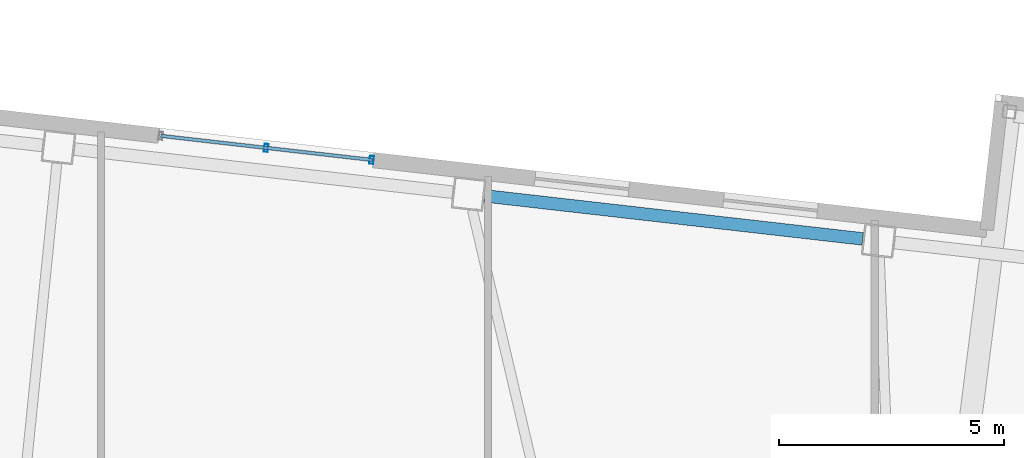
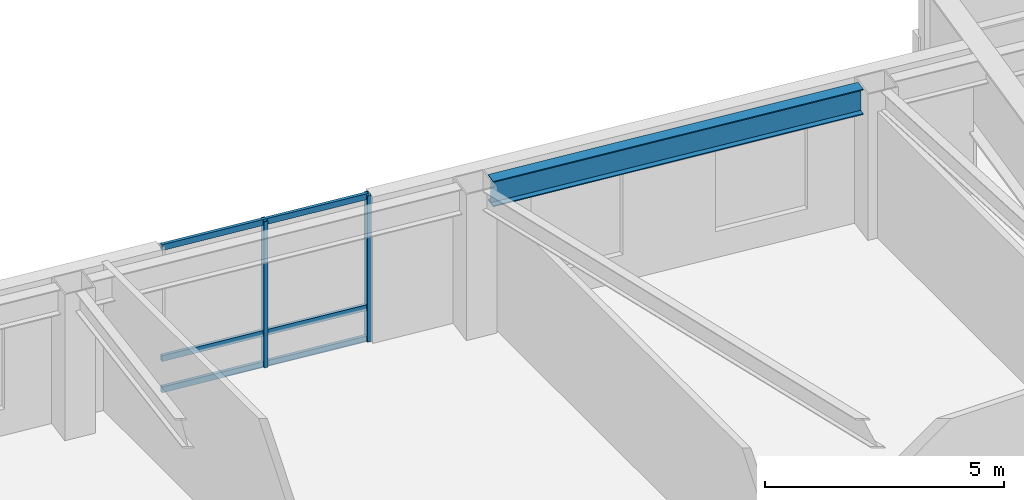
# One storey, part 10 of 22: 5 members, 1 beam, 1 element without a shape of its own.
"""IFC4 building model written with IfcOpenShell, lengths in metres."""

from ifc_helpers import new_model, si_unit, direction, frame, origin, origin_2d, place, context, subcontext, project, spatial, hollow_rectangle, i_section, extrude, material, layer, layer_set, material_profile, profile_set, type_object, element, aggregate, save


model = new_model("IFC4")

# Units and contexts
model_context = context("Model", 3, precision=1e-05, world=origin(), true_north=direction((0.0, 1.0)))
body_context = subcontext(model_context, "Body", "Model", "MODEL_VIEW")
ifc_project = project(units=[si_unit("LENGTHUNIT", "METRE"), si_unit("AREAUNIT", "SQUARE_METRE"), si_unit("VOLUMEUNIT", "CUBIC_METRE"), si_unit("PLANEANGLEUNIT", "RADIAN"), si_unit("MASSUNIT", "GRAM", prefix="KILO")], contexts=[model_context])

# Site, building, storey
site_placement = place(None, origin())
site = spatial("IfcSite", under=ifc_project, at=site_placement, CompositionType="ELEMENT")
building_placement = place(site_placement, origin())
building = spatial("IfcBuilding", under=site, at=building_placement, Name="Tavrogorsk Clinical Tower", CompositionType="ELEMENT")
storey_placement = place(building_placement, frame((0.0, 0.0, 117.39990234375)))
storey = spatial("IfcBuildingStorey", under=building, at=storey_placement, Name="L26", CompositionType="ELEMENT", Elevation=117.39990234375)

# Curtain wall, members
ifc_material_1 = material(Name="Anodised aluminium and triple IGU glazing", Category="aluminium")
ifc_layer = layer(ifc_material_1, 0.179931640625)
ifc_layer_set = layer_set([ifc_layer], Name="Anodised aluminium and triple IGU glazing")
curtain_wall_type = type_object("IfcCurtainWallType", Name="CW2_NorthSlot", PredefinedType="NOTDEFINED", material=ifc_layer_set)
curtain_wall_placement = place(storey_placement, origin())
curtain_wall = element("IfcCurtainWall", 1, at=curtain_wall_placement, inside=storey, type_object=curtain_wall_type, Name="L26 Curtain Wall CW-L26-N-SLOT-1", PredefinedType="NOTDEFINED")
ifc_material_2 = material(Name="Anodised aluminium alloy AW-6060", Category="aluminium")
ifc_material_profile_1 = material_profile(ifc_material_2, hollow_rectangle(XDim=0.090087890625, YDim=0.179931640625, WallThickness=0.00634765625, at=origin_2d()), Name="RHS-180x90x6.3")
ifc_profile_set_1 = profile_set([ifc_material_profile_1], Name="Anodised aluminium alloy AW-6060")
member_type_1 = type_object("IfcMemberType", Name="CwMullion_180x90", PredefinedType="MULLION", material=ifc_profile_set_1)
member_1_placement = place(storey_placement, frame((-1.586181640625, 23.443603515625, 0.0), z_axis=(0.0, 0.0, 1.0), x_axis=(-0.993571858269, 0.113203191016, 0.0)))
member_1 = element("IfcMember", 2, at=member_1_placement, type_object=member_type_1, Name="CW-L26-N-SLOT-1 Mullion 1", PredefinedType="MULLION", context=body_context, shape_type="SweptSolid", body=[
    extrude(hollow_rectangle(XDim=0.090087890625, YDim=0.179931640625, WallThickness=0.00634765625, at=origin_2d()), origin(), (0.0, 0.0, 1.0), 3.739990234375),
])
member_2_placement = place(storey_placement, frame((-3.929931640625, 23.71044921875, 0.0), z_axis=(0.0, 0.0, 1.0), x_axis=(-0.993571858269, 0.113203191016, 0.0)))
member_2 = element("IfcMember", 3, at=member_2_placement, type_object=member_type_1, Name="CW-L26-N-SLOT-1 Mullion 2", PredefinedType="MULLION", context=body_context, shape_type="SweptSolid", body=[
    extrude(hollow_rectangle(XDim=0.090087890625, YDim=0.179931640625, WallThickness=0.00634765625, at=origin_2d()), origin(), (0.0, 0.0, 1.0), 3.739990234375),
])
ifc_material_3 = material(Name="Anodised aluminium alloy AW-6060", Category="aluminium")
ifc_material_profile_2 = material_profile(ifc_material_3, hollow_rectangle(XDim=0.074951171875, YDim=0.14990234375, WallThickness=0.0048828125, at=origin_2d()), Name="RHS-150x75x5")
ifc_profile_set_2 = profile_set([ifc_material_profile_2], Name="Anodised aluminium alloy AW-6060")
member_type_2 = type_object("IfcMemberType", Name="CwTransom_150x75", PredefinedType="USERDEFINED", material=ifc_profile_set_2)
member_3_placement = place(storey_placement, frame((-1.586181640625, 23.443603515625, 0.050048828125), z_axis=(-0.993575136134, 0.11317441785, 0.0), x_axis=(-0.11317441785, -0.993575136134, 0.0)))
member_3 = element("IfcMember", 4, at=member_3_placement, type_object=member_type_2, Name="CW-L26-N-SLOT-1 Transom 1", ObjectType="TRANSOM", PredefinedType="USERDEFINED", context=body_context, shape_type="SweptSolid", body=[
    extrude(hollow_rectangle(XDim=0.074951171875, YDim=0.14990234375, WallThickness=0.0048828125, at=origin_2d()), origin(), (0.0, 0.0, 1.0), 4.7177734375),
])
member_4_placement = place(storey_placement, frame((-1.586181640625, 23.443603515625, 0.85009765625), z_axis=(-0.993575136134, 0.11317441785, 0.0), x_axis=(-0.11317441785, -0.993575136134, 0.0)))
member_4 = element("IfcMember", 5, at=member_4_placement, type_object=member_type_2, Name="CW-L26-N-SLOT-1 Transom 2", ObjectType="TRANSOM", PredefinedType="USERDEFINED", context=body_context, shape_type="SweptSolid", body=[
    extrude(hollow_rectangle(XDim=0.074951171875, YDim=0.14990234375, WallThickness=0.0048828125, at=origin_2d()), origin(), (0.0, 0.0, 1.0), 4.7177734375),
])
member_5_placement = place(storey_placement, frame((-1.586181640625, 23.443603515625, 3.690185546875), z_axis=(-0.993575136134, 0.11317441785, 0.0), x_axis=(-0.11317441785, -0.993575136134, 0.0)))
member_5 = element("IfcMember", 6, at=member_5_placement, type_object=member_type_2, Name="CW-L26-N-SLOT-1 Transom 3", ObjectType="TRANSOM", PredefinedType="USERDEFINED", context=body_context, shape_type="SweptSolid", body=[
    extrude(hollow_rectangle(XDim=0.074951171875, YDim=0.14990234375, WallThickness=0.0048828125, at=origin_2d()), origin(), (0.0, 0.0, 1.0), 4.7177734375),
])
aggregate(curtain_wall, [member_1, member_2, member_3, member_4, member_5])

# Beam
ifc_material_4 = material(Name="Structural steel S390", Category="steel")
ifc_material_profile_3 = material_profile(ifc_material_4, i_section(OverallWidth=0.280029296875, OverallDepth=0.64990234375, WebThickness=0.01611328125, FlangeThickness=0.02490234375, at=origin_2d()), Name="B-650x280x16x25")
ifc_profile_set_3 = profile_set([ifc_material_profile_3], Name="Structural steel S390")
beam_type = type_object("IfcBeamType", Name="SpandrelBeam_B650", PredefinedType="SPANDREL", material=ifc_profile_set_3)
beam_placement = place(storey_placement, frame((9.333984375, 21.68603515625, 3.4150390625), z_axis=(-0.99357306506, 0.113192598642, 0.0), x_axis=(-0.113192598642, -0.99357306506, 0.0)))
element("IfcBeam", 7, at=beam_placement, inside=storey, type_object=beam_type, Name="L26 Perimeter Spandrel N4-N5", PredefinedType="SPANDREL", context=body_context, shape_type="SweptSolid", body=[
    extrude(i_section(OverallWidth=0.280029296875, OverallDepth=0.64990234375, WebThickness=0.01611328125, FlangeThickness=0.02490234375, at=origin_2d()), origin(), (0.0, 0.0, 1.0), 8.46142578125),
])

save(model, "model.ifc")
